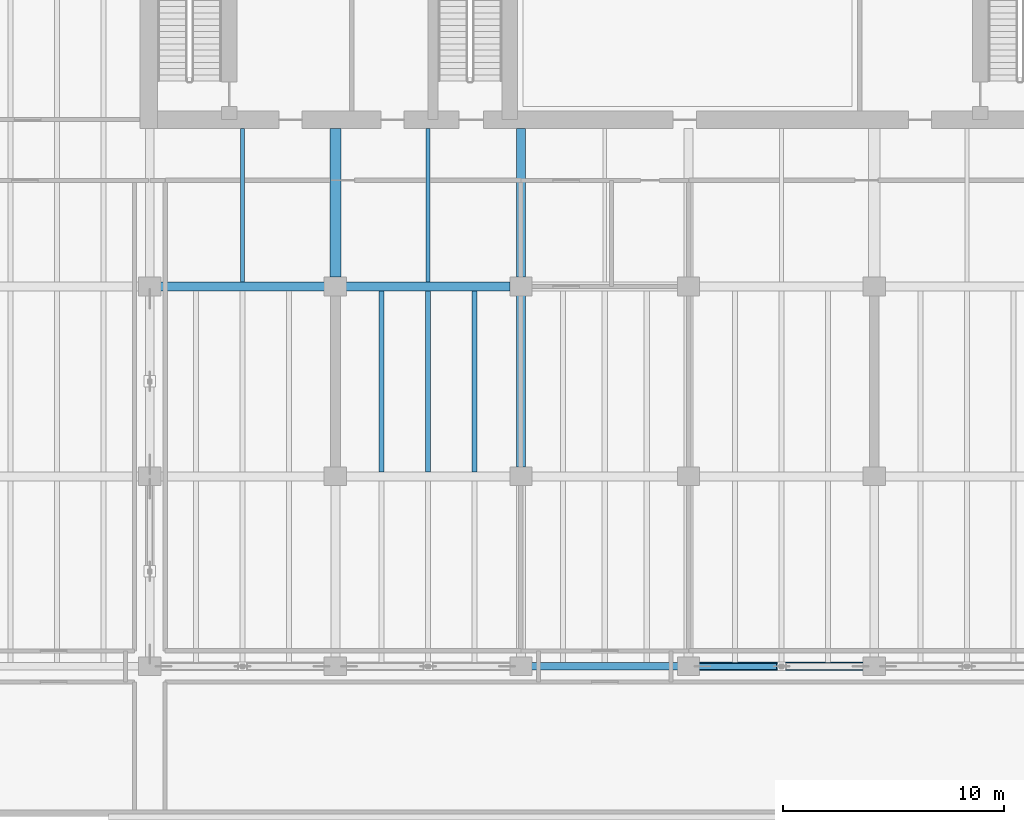
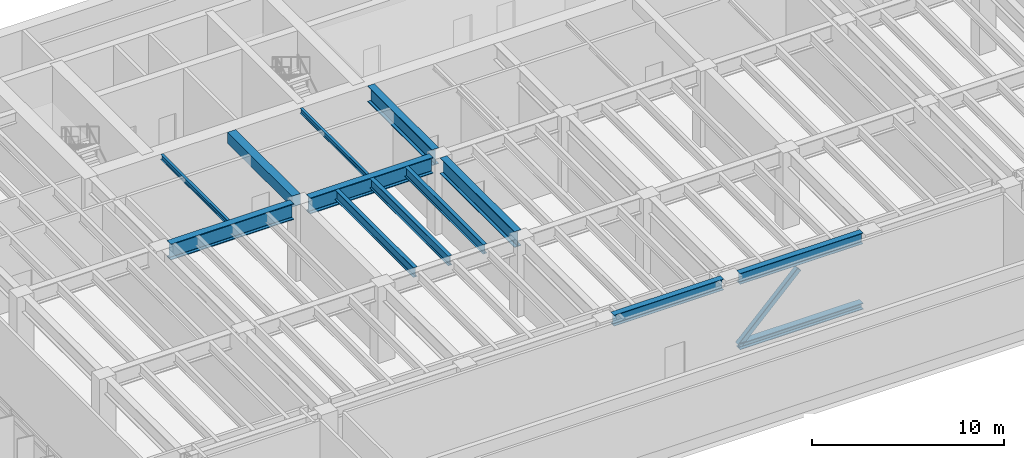
# One storey, part 5 of 18: 13 beams, 1 member.
"""IFC4 building model written with IfcOpenShell, lengths in metres."""

from ifc_helpers import new_model, si_unit, direction, frame, origin, origin_2d, place, context, subcontext, project, spatial, rectangle, hollow_rectangle, i_section, extrude, material, material_profile, profile_set, type_object, element, save


model = new_model("IFC4")

# Units and contexts
model_context = context("Model", 3, precision=1e-05, world=origin(), true_north=direction((0.0, 1.0)))
body_context = subcontext(model_context, "Body", "Model", "MODEL_VIEW")
ifc_project = project(units=[si_unit("LENGTHUNIT", "METRE"), si_unit("AREAUNIT", "SQUARE_METRE"), si_unit("VOLUMEUNIT", "CUBIC_METRE"), si_unit("PLANEANGLEUNIT", "RADIAN"), si_unit("MASSUNIT", "GRAM", prefix="KILO")], contexts=[model_context])

# Site, building, storey
site_placement = place(None, origin())
site = spatial("IfcSite", under=ifc_project, at=site_placement, CompositionType="ELEMENT")
building_placement = place(site_placement, origin())
building = spatial("IfcBuilding", under=site, at=building_placement, Name="Caelmar Bay Residences", CompositionType="ELEMENT")
storey_placement = place(building_placement, frame((0.0, 0.0, 152.10009765625)))
storey = spatial("IfcBuildingStorey", under=building, at=storey_placement, Name="L42", CompositionType="ELEMENT", Elevation=152.10009765625)

# Beams
ifc_material_1 = material(Name="Steel ASTM A992 Grade 50", Category="steel")
ifc_material_profile_1 = material_profile(ifc_material_1, i_section(OverallWidth=0.40087890625, OverallDepth=0.39892578125, WebThickness=0.02490234375, FlangeThickness=0.03955078125, FilletRadius=0.01513671875, at=origin_2d()), Name="W14X211")
ifc_profile_set_1 = profile_set([ifc_material_profile_1], Name="Steel ASTM A992 Grade 50")
beam_type_1 = type_object("IfcBeamType", Name="BM-CHD-W14X211", PredefinedType="BEAM", material=ifc_profile_set_1)
beam_1_placement = place(storey_placement, frame((43.18994140625, 12.199951171875, 0.199462890625), z_axis=(1.0, 0.0, 0.0), x_axis=(0.0, 1.0, 0.0)))
element("IfcBeam", 1, at=beam_1_placement, inside=storey, type_object=beam_type_1, Name="L42 Belt-Truss Bottom Chord 3", PredefinedType="BEAM", context=body_context, shape_type="SweptSolid", body=[
    extrude(i_section(OverallWidth=0.40087890625, OverallDepth=0.39892578125, WebThickness=0.02490234375, FlangeThickness=0.03955078125, FilletRadius=0.01513671875, at=origin_2d()), origin(), (0.0, 0.0, 1.0), 7.420166015625),
])
ifc_material_profile_2 = material_profile(ifc_material_1, i_section(OverallWidth=0.404052734375, OverallDepth=1.02099609375, WebThickness=0.025390625, FlangeThickness=0.0458984375, FilletRadius=0.02294921875, at=origin_2d()), Name="W40X324")
ifc_profile_set_2 = profile_set([ifc_material_profile_2], Name="Steel ASTM A992 Grade 50")
beam_type_2 = type_object("IfcBeamType", Name="BM-GRD-W40X324", PredefinedType="BEAM", material=ifc_profile_set_2)
beam_2_placement = place(storey_placement, frame((18.7900390625, 29.39990234375, 4.33935546875), z_axis=(1.0, 0.0, 0.0), x_axis=(0.0, 1.0, 0.0)))
element("IfcBeam", 2, at=beam_2_placement, inside=storey, type_object=beam_type_2, Name="L42 East-West Girder Y=29.40 (18.3-26.7)", PredefinedType="BEAM", context=body_context, shape_type="SweptSolid", body=[
    extrude(i_section(OverallWidth=0.404052734375, OverallDepth=1.02099609375, WebThickness=0.025390625, FlangeThickness=0.0458984375, FilletRadius=0.02294921875, at=origin_2d()), origin(), (0.0, 0.0, 1.0), 7.419921875),
])
beam_3_placement = place(storey_placement, frame((27.18994140625, 29.39990234375, 4.33935546875), z_axis=(1.0, 0.0, 0.0), x_axis=(0.0, 1.0, 0.0)))
element("IfcBeam", 3, at=beam_3_placement, inside=storey, type_object=beam_type_2, Name="L42 East-West Girder Y=29.40 (26.7-35.1)", PredefinedType="BEAM", context=body_context, shape_type="SweptSolid", body=[
    extrude(i_section(OverallWidth=0.404052734375, OverallDepth=1.02099609375, WebThickness=0.025390625, FlangeThickness=0.0458984375, FilletRadius=0.02294921875, at=origin_2d()), origin(), (0.0, 0.0, 1.0), 7.420166015625),
])
beam_4_placement = place(storey_placement, frame((35.10009765625, 29.81494140625, 4.33935546875), z_axis=(0.0, 1.0, 0.0), x_axis=(-1.0, 0.0, 0.0)))
element("IfcBeam", 4, at=beam_4_placement, inside=storey, type_object=beam_type_2, Name="L42 Core Tie Girder X=35.10", PredefinedType="BEAM", context=body_context, shape_type="SweptSolid", body=[
    extrude(i_section(OverallWidth=0.404052734375, OverallDepth=1.02099609375, WebThickness=0.025390625, FlangeThickness=0.0458984375, FilletRadius=0.02294921875, at=origin_2d()), origin(), (0.0, 0.0, 1.0), 6.735107421875),
])
beam_5_placement = place(storey_placement, frame((35.10009765625, 21.215087890625, 4.33935546875), z_axis=(0.0, 1.0, 0.0), x_axis=(-1.0, 0.0, 0.0)))
element("IfcBeam", 5, at=beam_5_placement, inside=storey, type_object=beam_type_2, Name="L42 North-South Girder X=35.10 (20.8-29.4)", PredefinedType="BEAM", context=body_context, shape_type="SweptSolid", body=[
    extrude(i_section(OverallWidth=0.404052734375, OverallDepth=1.02099609375, WebThickness=0.025390625, FlangeThickness=0.0458984375, FilletRadius=0.02294921875, at=origin_2d()), origin(), (0.0, 0.0, 1.0), 7.77001953125),
])
ifc_material_profile_3 = material_profile(ifc_material_1, i_section(OverallWidth=0.1650390625, OverallDepth=0.31005859375, WebThickness=0.005859375, FlangeThickness=0.009765625, FilletRadius=0.007568359375, at=origin_2d()), Name="W12X26")
ifc_profile_set_3 = profile_set([ifc_material_profile_3], Name="Steel ASTM A992 Grade 50")
beam_type_3 = type_object("IfcBeamType", Name="BM-JST-W12X26", PredefinedType="JOIST", material=ifc_profile_set_3)
for number, where, z_axis, x_axis, name in (
    (6, (22.5, 29.60205078125, 4.69482421875), (0.0, 1.0, 0.0), (-1.0, 0.0, 0.0), "L42 Core-Band Composite Joist 43"),
    (7, (30.89990234375, 29.60205078125, 4.69482421875), (0.0, 1.0, 0.0), (-1.0, 0.0, 0.0), "L42 Core-Band Composite Joist 44"),
):
    element("IfcBeam", number, at=place(storey_placement, frame(where, z_axis=z_axis, x_axis=x_axis)), inside=storey, type_object=beam_type_3, Name=name, PredefinedType="JOIST", context=body_context, shape_type="SweptSolid", body=[
        extrude(i_section(OverallWidth=0.1650390625, OverallDepth=0.31005859375, WebThickness=0.005859375, FlangeThickness=0.009765625, FilletRadius=0.007568359375, at=origin_2d()), origin(), (0.0, 0.0, 1.0), 6.947998046875),
    ])
ifc_material_profile_4 = material_profile(ifc_material_1, i_section(OverallWidth=0.22900390625, OverallDepth=0.612060546875, WebThickness=0.011962890625, FlangeThickness=0.01953125, FilletRadius=0.0126953125, at=origin_2d()), Name="W24X84")
ifc_profile_set_4 = profile_set([ifc_material_profile_4], Name="Steel ASTM A992 Grade 50")
beam_type_4 = type_object("IfcBeamType", Name="BM-JST-W24X84", PredefinedType="JOIST", material=ifc_profile_set_4)
for number, where, z_axis, x_axis, name in (
    (8, (28.800048828125, 21.001953125, 4.5439453125), (0.0, 1.0, 0.0), (-1.0, 0.0, 0.0), "L42 Composite Floor Joist 28"),
    (9, (30.89990234375, 21.001953125, 4.5439453125), (0.0, 1.0, 0.0), (-1.0, 0.0, 0.0), "L42 Composite Floor Joist 29"),
    (10, (33.0, 21.001953125, 4.5439453125), (0.0, 1.0, 0.0), (-1.0, 0.0, 0.0), "L42 Composite Floor Joist 30"),
):
    element("IfcBeam", number, at=place(storey_placement, frame(where, z_axis=z_axis, x_axis=x_axis)), inside=storey, type_object=beam_type_4, Name=name, PredefinedType="JOIST", context=body_context, shape_type="SweptSolid", body=[
        extrude(i_section(OverallWidth=0.22900390625, OverallDepth=0.612060546875, WebThickness=0.011962890625, FlangeThickness=0.01953125, FilletRadius=0.0126953125, at=origin_2d()), origin(), (0.0, 0.0, 1.0), 8.196044921875),
    ])
ifc_material_2 = material(Name="Concrete f'c 55 MPa (8,000 psi)", Category="concrete")
ifc_material_profile_5 = material_profile(ifc_material_2, rectangle(XDim=0.5, YDim=0.699951171875, at=origin_2d()), Name="RC-BM-500X700")
ifc_profile_set_5 = profile_set([ifc_material_profile_5], Name="Concrete f'c 55 MPa (8,000 psi)")
beam_type_5 = type_object("IfcBeamType", Name="BM-RC-500X700", PredefinedType="LINTEL", material=ifc_profile_set_5)
beam_6_placement = place(storey_placement, frame((26.699951171875, 29.81494140625, 4.5), z_axis=(0.0, 1.0, 0.0), x_axis=(-1.0, 0.0, 0.0)))
element("IfcBeam", 11, at=beam_6_placement, inside=storey, type_object=beam_type_5, Name="L42 Shear-Wall Corridor Coupling Lintel W5", PredefinedType="LINTEL", context=body_context, shape_type="SweptSolid", body=[
    extrude(rectangle(XDim=0.5, YDim=0.699951171875, at=origin_2d()), origin(), (0.0, 0.0, 1.0), 6.735107421875),
])
ifc_material_profile_6 = material_profile(ifc_material_1, i_section(OverallWidth=0.35595703125, OverallDepth=0.696044921875, WebThickness=0.015380859375, FlangeThickness=0.02490234375, FilletRadius=0.01513671875, at=origin_2d()), Name="W27X146")
ifc_profile_set_6 = profile_set([ifc_material_profile_6], Name="Steel ASTM A992 Grade 50")
beam_type_6 = type_object("IfcBeamType", Name="BM-SPN-W27X146", PredefinedType="SPANDREL", material=ifc_profile_set_6)
beam_7_placement = place(storey_placement, frame((35.590087890625, 12.199951171875, 4.501953125), z_axis=(1.0, 0.0, 0.0), x_axis=(0.0, 1.0, 0.0)))
element("IfcBeam", 12, at=beam_7_placement, inside=storey, type_object=beam_type_6, Name="L42 East-West Girder Y=12.20 (35.1-42.7)", PredefinedType="SPANDREL", context=body_context, shape_type="SweptSolid", body=[
    extrude(i_section(OverallWidth=0.35595703125, OverallDepth=0.696044921875, WebThickness=0.015380859375, FlangeThickness=0.02490234375, FilletRadius=0.01513671875, at=origin_2d()), origin(), (0.0, 0.0, 1.0), 6.619873046875),
])
beam_8_placement = place(storey_placement, frame((43.18994140625, 12.199951171875, 4.501953125), z_axis=(1.0, 0.0, 0.0), x_axis=(0.0, 1.0, 0.0)))
element("IfcBeam", 13, at=beam_8_placement, inside=storey, type_object=beam_type_6, Name="L42 East-West Girder Y=12.20 (42.7-51.1)", PredefinedType="SPANDREL", context=body_context, shape_type="SweptSolid", body=[
    extrude(i_section(OverallWidth=0.35595703125, OverallDepth=0.696044921875, WebThickness=0.015380859375, FlangeThickness=0.02490234375, FilletRadius=0.01513671875, at=origin_2d()), origin(), (0.0, 0.0, 1.0), 7.420166015625),
])

# Member
ifc_material_3 = material(Name="Steel ASTM A500 Grade C", Category="steel")
ifc_material_profile_7 = material_profile(ifc_material_3, hollow_rectangle(XDim=0.304931640625, YDim=0.304931640625, WallThickness=0.014892578125, InnerFilletRadius=0.014892578125, OuterFilletRadius=0.029541015625, at=origin_2d()), Name="HSS300X300X15.9")
ifc_profile_set_7 = profile_set([ifc_material_profile_7], Name="Steel ASTM A500 Grade C")
member_type = type_object("IfcMemberType", Name="MEM-BRC-HSS300", PredefinedType="BRACE", material=ifc_profile_set_7)
member_placement = place(storey_placement, frame((43.18994140625, 12.199951171875, 0.219970703125), z_axis=(0.703772728365, 0.0, 0.710425187341), x_axis=(0.0, 1.0, 0.0)))
element("IfcMember", 14, at=member_placement, inside=storey, type_object=member_type, Name="L42 Belt-Truss Chevron 3A", PredefinedType="BRACE", context=body_context, shape_type="SweptSolid", body=[
    extrude(hollow_rectangle(XDim=0.304931640625, YDim=0.304931640625, WallThickness=0.014892578125, InnerFilletRadius=0.014892578125, OuterFilletRadius=0.029541015625, at=origin_2d()), origin(), (0.0, 0.0, 1.0), 5.101318359375),
])

save(model, "model.ifc")
